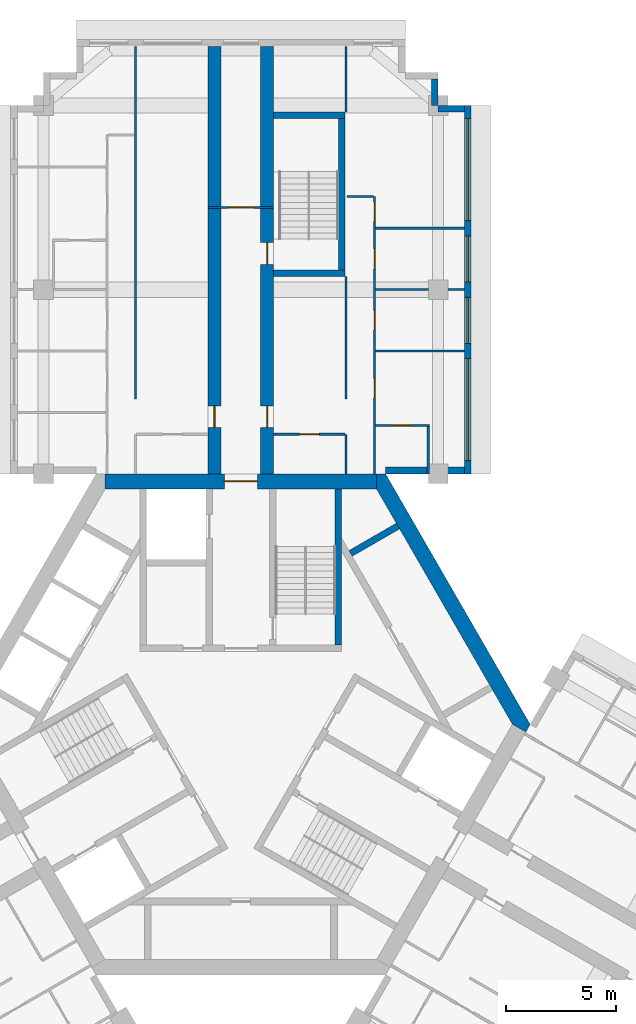
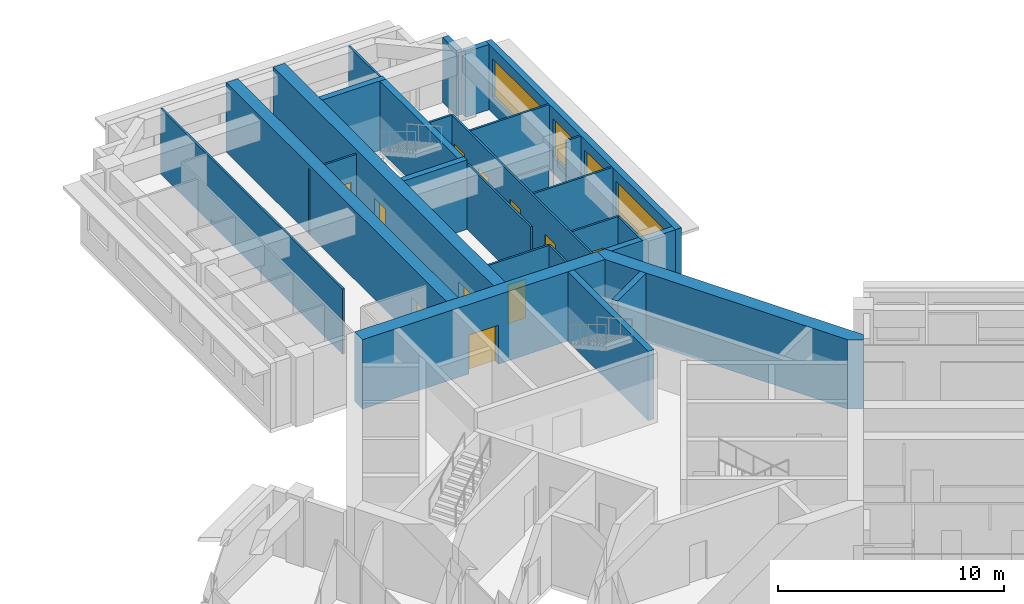
# One storey, part 8 of 11: 27 walls, 11 doors, 4 windows, 15 openings.
"""IFC4 building model written with IfcOpenShell, lengths in metres."""

from ifc_helpers import new_model, si_unit, direction, frame, frame_2d, origin, place, context, subcontext, project, spatial, polyline, rectangle, outline, extrude, material, layer, layer_set, type_object, element, fill, save


model = new_model("IFC4")

# Units and contexts
model_context = context("Model", 3, precision=1e-05, world=origin(), true_north=direction((0.0, 1.0)))
body_context = subcontext(model_context, "Body", "Model", "MODEL_VIEW")
ifc_project = project(units=[si_unit("LENGTHUNIT", "METRE"), si_unit("AREAUNIT", "SQUARE_METRE"), si_unit("VOLUMEUNIT", "CUBIC_METRE"), si_unit("PLANEANGLEUNIT", "RADIAN"), si_unit("MASSUNIT", "GRAM", prefix="KILO")], contexts=[model_context])

# Site, building, storey
site_placement = place(None, origin())
site = spatial("IfcSite", under=ifc_project, at=site_placement, CompositionType="ELEMENT")
building_placement = place(site_placement, origin())
building = spatial("IfcBuilding", under=site, at=building_placement, Name="Impinga Residences", CompositionType="ELEMENT")
storey_placement = place(building_placement, frame((0.0, 0.0, 203.5)))
storey = spatial("IfcBuildingStorey", under=building, at=storey_placement, Name="L50", CompositionType="ELEMENT", Elevation=203.5)

# Wall, opening, door
ifc_material_1 = material(Name="Concrete C60/75", Category="concrete")
ifc_layer_1 = layer(ifc_material_1, 0.60009765625)
ifc_layer_set_1 = layer_set([ifc_layer_1], Name="Concrete C60/75")
wall_type_1 = type_object("IfcWallType", Name="BW3 corridor buttress wall, L46 to L73 600", PredefinedType="SHEAR", material=ifc_layer_set_1)
wall_1_placement = place(storey_placement, frame((-1.199951171875, 11.08154296875, 0.0), z_axis=(0.0, 0.0, 1.0), x_axis=(0.0, 1.0, 0.0)))
wall_1 = element("IfcWall", 1, at=wall_1_placement, inside=storey, type_object=wall_type_1, Name="Corridor wall BW3 NC L50", PredefinedType="SHEAR", context=body_context, shape_type="SweptSolid", body=[
    extrude(rectangle(XDim=19.85009765625, YDim=0.60009765625, at=frame_2d((9.925048828125, 0.0))), origin(), (0.0, 0.0, 1.0), 3.75),
])
opening_1_placement = place(wall_1_placement, frame((2.449951171875, 0.0, 0.0)))
opening_1 = element("IfcOpeningElement", 2, at=opening_1_placement, cuts=wall_1, Name="Opening D1", PredefinedType="OPENING", context=body_context, shape_type="SweptSolid", body=[
    extrude(rectangle(XDim=1.0, YDim=2.10009765625, at=frame_2d((0.5, 1.050048828125))), frame((0.0, 0.31005859375, 0.0), z_axis=(0.0, -1.0, 0.0), x_axis=(1.0, 0.0, 0.0)), (0.0, 0.0, 1.0), 0.6201171875),
])
ifc_material_2 = material(Name="Timber door set", Category="wood")
door_type_1 = type_object("IfcDoorType", Name="D1 apartment entrance door 1000x2100", OperationType="SINGLE_SWING_LEFT", PredefinedType="DOOR", material=ifc_material_2)
door_1_placement = place(opening_1_placement, origin())
door_1 = element("IfcDoor", 3, at=door_1_placement, inside=storey, type_object=door_type_1, Name="Apartment L50-NA1 entrance", OperationType="SINGLE_SWING_LEFT", OverallHeight=2.10009765625, OverallWidth=1.0, PredefinedType="DOOR", context=body_context, shape_type="SweptSolid", body=[
    extrude(rectangle(XDim=1.0, YDim=2.10009765625, at=frame_2d((0.5, 1.050048828125))), frame((0.0, 0.02490234375, 0.0), z_axis=(0.0, -1.0, 0.0), x_axis=(1.0, 0.0, 0.0)), (0.0, 0.0, 1.0), 0.050048828125),
])
fill(opening_1, door_1)

# Wall, openings, doors
wall_2_placement = place(storey_placement, frame((1.199951171875, 11.08154296875, 0.0), z_axis=(0.0, 0.0, 1.0), x_axis=(0.0, 1.0, 0.0)))
wall_2 = element("IfcWall", 4, at=wall_2_placement, inside=storey, type_object=wall_type_1, Name="Corridor wall BW3 ND L50", PredefinedType="SHEAR", context=body_context, shape_type="SweptSolid", body=[
    extrude(rectangle(XDim=19.85009765625, YDim=0.60009765625, at=frame_2d((9.925048828125, 0.0))), origin(), (0.0, 0.0, 1.0), 3.75),
])
opening_2_placement = place(wall_2_placement, frame((9.89990234375, 0.0, 0.0)))
opening_2 = element("IfcOpeningElement", 5, at=opening_2_placement, cuts=wall_2, Name="Opening D5", PredefinedType="OPENING", context=body_context, shape_type="SweptSolid", body=[
    extrude(rectangle(XDim=1.0, YDim=2.10009765625, at=frame_2d((0.5, 1.050048828125))), frame((0.0, 0.31005859375, 0.0), z_axis=(0.0, -1.0, 0.0), x_axis=(1.0, 0.0, 0.0)), (0.0, 0.0, 1.0), 0.6201171875),
])
opening_3_placement = place(wall_2_placement, frame((2.449951171875, 0.0, 0.0)))
opening_3 = element("IfcOpeningElement", 6, at=opening_3_placement, cuts=wall_2, Name="Opening D1", PredefinedType="OPENING", context=body_context, shape_type="SweptSolid", body=[
    extrude(rectangle(XDim=1.0, YDim=2.10009765625, at=frame_2d((0.5, 1.050048828125))), frame((0.0, 0.31005859375, 0.0), z_axis=(0.0, -1.0, 0.0), x_axis=(1.0, 0.0, 0.0)), (0.0, 0.0, 1.0), 0.6201171875),
])
door_2_placement = place(opening_3_placement, origin())
door_2 = element("IfcDoor", 7, at=door_2_placement, inside=storey, type_object=door_type_1, Name="Apartment L50-NF1 entrance", OperationType="SINGLE_SWING_LEFT", OverallHeight=2.10009765625, OverallWidth=1.0, PredefinedType="DOOR", context=body_context, shape_type="SweptSolid", body=[
    extrude(rectangle(XDim=1.0, YDim=2.10009765625, at=frame_2d((0.5, 1.050048828125))), frame((0.0, 0.02490234375, 0.0), z_axis=(0.0, -1.0, 0.0), x_axis=(1.0, 0.0, 0.0)), (0.0, 0.0, 1.0), 0.050048828125),
])
fill(opening_3, door_2)
door_type_2 = type_object("IfcDoorType", Name="D5 stair door 1000x2100", OperationType="SINGLE_SWING_LEFT", PredefinedType="DOOR", material=ifc_material_2)
door_3_placement = place(opening_2_placement, origin())
door_3 = element("IfcDoor", 8, at=door_3_placement, inside=storey, type_object=door_type_2, Name="Wing stair door N", OperationType="SINGLE_SWING_RIGHT", OverallHeight=2.10009765625, OverallWidth=1.0, PredefinedType="DOOR", context=body_context, shape_type="SweptSolid", body=[
    extrude(rectangle(XDim=1.0, YDim=2.10009765625, at=frame_2d((0.5, 1.050048828125))), frame((0.0, 0.02490234375, 0.0), z_axis=(0.0, -1.0, 0.0), x_axis=(1.0, 0.0, 0.0)), (0.0, 0.0, 1.0), 0.050048828125),
])
fill(opening_2, door_3)

# Wall, opening, door
ifc_material_3 = material(Name="Concrete blockwork", Category="masonry")
ifc_layer_2 = layer(ifc_material_3, 0.10009765625)
ifc_layer_set_2 = layer_set([ifc_layer_2], Name="CP1 core room partition, blockwork 100")
wall_type_2 = type_object("IfcWallType", Name="CP1 core room partition, blockwork 100", PredefinedType="PARTITIONING", material=ifc_layer_set_2)
wall_3_placement = place(storey_placement, frame((-1.5, 23.58154296875, 0.0), z_axis=(0.0, 0.0, 1.0), x_axis=(1.0, 0.0, 0.0)))
wall_3 = element("IfcWall", 9, at=wall_3_placement, inside=storey, type_object=wall_type_2, Name="Core room partition, blockwork L50:N:LNG", PredefinedType="PARTITIONING", context=body_context, shape_type="SweptSolid", body=[
    extrude(rectangle(XDim=3.0, YDim=0.10009765625, at=frame_2d((1.5, 0.0))), origin(), (0.0, 0.0, 1.0), 3.530029296875),
])
opening_4_placement = place(wall_3_placement, frame((0.89990234375, 0.0, 0.0)))
opening_4 = element("IfcOpeningElement", 10, at=opening_4_placement, cuts=wall_3, Name="Opening D3", PredefinedType="OPENING", context=body_context, shape_type="SweptSolid", body=[
    extrude(rectangle(XDim=1.199951171875, YDim=2.10009765625, at=frame_2d((0.60009765625, 1.050048828125))), frame((0.0, 0.06005859375, 0.0), z_axis=(0.0, -1.0, 0.0), x_axis=(1.0, 0.0, 0.0)), (0.0, 0.0, 1.0), 0.1201171875),
])
door_type_3 = type_object("IfcDoorType", Name="D3 room door, leaf and a half 1200x2100", OperationType="DOUBLE_SWING_LEFT", PredefinedType="DOOR", material=ifc_material_2)
door_4_placement = place(opening_4_placement, origin())
door_4 = element("IfcDoor", 11, at=door_4_placement, inside=storey, type_object=door_type_3, Name="Residents' lounge door N", OperationType="DOUBLE_SWING_LEFT", OverallHeight=2.10009765625, OverallWidth=1.199951171875, PredefinedType="DOOR", context=body_context, shape_type="SweptSolid", body=[
    extrude(rectangle(XDim=1.199951171875, YDim=2.10009765625, at=frame_2d((0.60009765625, 1.050048828125))), frame((0.0, 0.02490234375, 0.0), z_axis=(0.0, -1.0, 0.0), x_axis=(1.0, 0.0, 0.0)), (0.0, 0.0, 1.0), 0.050048828125),
])
fill(opening_4, door_4)

# Walls
ifc_material_4 = material(Name="Terracotta rainscreen on blockwork", Category="masonry")
ifc_layer_3 = layer(ifc_material_4, 0.300048828125)
ifc_layer_set_3 = layer_set([ifc_layer_3], Name="EW1 external wall, terracotta rainscreen on blockwork 300")
wall_type_3 = type_object("IfcWallType", Name="EW1 external wall, terracotta rainscreen on blockwork 300", PredefinedType="SOLIDWALL", material=ifc_layer_set_3)
wall_4_placement = place(storey_placement, frame((8.85009765625, 29.431640625, 0.0), z_axis=(0.0, 0.0, 1.0), x_axis=(0.0, -1.0, 0.0)))
element("IfcWall", 12, at=wall_4_placement, inside=storey, type_object=wall_type_3, Name="External wall EW1 L50", PredefinedType="SOLIDWALL", context=body_context, shape_type="SweptSolid", body=[
    extrude(rectangle(XDim=1.2001953125, YDim=0.300048828125, at=frame_2d((0.60009765625, 0.0))), origin(), (0.0, 0.0, 1.0), 3.530029296875),
])
wall_5_placement = place(storey_placement, frame((9.0048828125, 28.08154296875, 0.0), z_axis=(0.0, 0.0, 1.0), x_axis=(1.0, 0.0, 0.0)))
element("IfcWall", 13, at=wall_5_placement, inside=storey, type_object=wall_type_3, Name="External wall EW1 L50", PredefinedType="SOLIDWALL", context=body_context, shape_type="SweptSolid", body=[
    extrude(rectangle(XDim=1.195068359375, YDim=0.300048828125, at=frame_2d((0.59765625, 0.0))), origin(), (0.0, 0.0, 1.0), 3.530029296875),
])

# Wall, openings, windows
wall_6_placement = place(storey_placement, frame((10.35009765625, 28.2314453125, 0.0), z_axis=(0.0, 0.0, 1.0), x_axis=(0.0, -1.0, 0.0)))
wall_6 = element("IfcWall", 14, at=wall_6_placement, inside=storey, type_object=wall_type_3, Name="External wall EW1 L50", PredefinedType="SOLIDWALL", context=body_context, shape_type="SweptSolid", body=[
    extrude(rectangle(XDim=16.7998046875, YDim=0.300048828125, at=frame_2d((8.39990234375, 0.0))), origin(), (0.0, 0.0, 1.0), 3.530029296875),
])
opening_5_placement = place(wall_6_placement, frame((0.60009765625, 0.0, 0.89990234375)))
opening_5 = element("IfcOpeningElement", 15, at=opening_5_placement, cuts=wall_6, Name="Opening W10", PredefinedType="OPENING", context=body_context, shape_type="SweptSolid", body=[
    extrude(rectangle(XDim=4.64990234375, YDim=2.050048828125, at=frame_2d((2.324951171875, 1.02490234375))), frame((0.0, 0.159912109375, 0.0), z_axis=(0.0, -1.0, 0.0), x_axis=(1.0, 0.0, 0.0)), (0.0, 0.0, 1.0), 0.320068359375),
])
opening_6_placement = place(wall_6_placement, frame((5.949951171875, 0.0, 0.89990234375)))
opening_6 = element("IfcOpeningElement", 16, at=opening_6_placement, cuts=wall_6, Name="Opening W9", PredefinedType="OPENING", context=body_context, shape_type="SweptSolid", body=[
    extrude(rectangle(XDim=2.10009765625, YDim=2.050048828125, at=frame_2d((1.050048828125, 1.02490234375))), frame((0.0, 0.159912109375, 0.0), z_axis=(0.0, -1.0, 0.0), x_axis=(1.0, 0.0, 0.0)), (0.0, 0.0, 1.0), 0.320068359375),
])
opening_7_placement = place(wall_6_placement, frame((8.75, 0.0, 0.89990234375)))
opening_7 = element("IfcOpeningElement", 17, at=opening_7_placement, cuts=wall_6, Name="Opening W9", PredefinedType="OPENING", context=body_context, shape_type="SweptSolid", body=[
    extrude(rectangle(XDim=2.10009765625, YDim=2.050048828125, at=frame_2d((1.050048828125, 1.02490234375))), frame((0.0, 0.159912109375, 0.0), z_axis=(0.0, -1.0, 0.0), x_axis=(1.0, 0.0, 0.0)), (0.0, 0.0, 1.0), 0.320068359375),
])
opening_8_placement = place(wall_6_placement, frame((11.550048828125, 0.0, 0.89990234375)))
opening_8 = element("IfcOpeningElement", 18, at=opening_8_placement, cuts=wall_6, Name="Opening W10", PredefinedType="OPENING", context=body_context, shape_type="SweptSolid", body=[
    extrude(rectangle(XDim=4.64990234375, YDim=2.050048828125, at=frame_2d((2.324951171875, 1.02490234375))), frame((0.0, 0.159912109375, 0.0), z_axis=(0.0, -1.0, 0.0), x_axis=(1.0, 0.0, 0.0)), (0.0, 0.0, 1.0), 0.320068359375),
])
ifc_material_5 = material(Name="Aluminium window, clear double glazing", Category="aluminium")
window_type_1 = type_object("IfcWindowType", Name="W10 ribbon window 4650x2050", PartitioningType="SINGLE_PANEL", PredefinedType="WINDOW", material=ifc_material_5)
window_1_placement = place(opening_5_placement, origin())
window_1 = element("IfcWindow", 19, at=window_1_placement, inside=storey, type_object=window_type_1, Name="Window L50", OverallHeight=2.050048828125, OverallWidth=4.64990234375, PartitioningType="SINGLE_PANEL", PredefinedType="WINDOW", context=body_context, shape_type="SweptSolid", body=[
    extrude(rectangle(XDim=4.64990234375, YDim=2.050048828125, at=frame_2d((2.324951171875, 1.02490234375))), frame((0.0, 0.030029296875, 0.0), z_axis=(0.0, -1.0, 0.0), x_axis=(1.0, 0.0, 0.0)), (0.0, 0.0, 1.0), 0.06005859375),
])
fill(opening_5, window_1)
window_2_placement = place(opening_8_placement, origin())
window_2 = element("IfcWindow", 20, at=window_2_placement, inside=storey, type_object=window_type_1, Name="Window L50", OverallHeight=2.050048828125, OverallWidth=4.64990234375, PartitioningType="SINGLE_PANEL", PredefinedType="WINDOW", context=body_context, shape_type="SweptSolid", body=[
    extrude(rectangle(XDim=4.64990234375, YDim=2.050048828125, at=frame_2d((2.324951171875, 1.02490234375))), frame((0.0, 0.030029296875, 0.0), z_axis=(0.0, -1.0, 0.0), x_axis=(1.0, 0.0, 0.0)), (0.0, 0.0, 1.0), 0.06005859375),
])
fill(opening_8, window_2)
window_type_2 = type_object("IfcWindowType", Name="W9 ribbon window 2100x2050", PartitioningType="SINGLE_PANEL", PredefinedType="WINDOW", material=ifc_material_5)
window_3_placement = place(opening_6_placement, origin())
window_3 = element("IfcWindow", 21, at=window_3_placement, inside=storey, type_object=window_type_2, Name="Window L50", OverallHeight=2.050048828125, OverallWidth=2.10009765625, PartitioningType="SINGLE_PANEL", PredefinedType="WINDOW", context=body_context, shape_type="SweptSolid", body=[
    extrude(rectangle(XDim=2.10009765625, YDim=2.050048828125, at=frame_2d((1.050048828125, 1.02490234375))), frame((0.0, 0.030029296875, 0.0), z_axis=(0.0, -1.0, 0.0), x_axis=(1.0, 0.0, 0.0)), (0.0, 0.0, 1.0), 0.06005859375),
])
fill(opening_6, window_3)
window_4_placement = place(opening_7_placement, origin())
window_4 = element("IfcWindow", 22, at=window_4_placement, inside=storey, type_object=window_type_2, Name="Window L50", OverallHeight=2.050048828125, OverallWidth=2.10009765625, PartitioningType="SINGLE_PANEL", PredefinedType="WINDOW", context=body_context, shape_type="SweptSolid", body=[
    extrude(rectangle(XDim=2.10009765625, YDim=2.050048828125, at=frame_2d((1.050048828125, 1.02490234375))), frame((0.0, 0.030029296875, 0.0), z_axis=(0.0, -1.0, 0.0), x_axis=(1.0, 0.0, 0.0)), (0.0, 0.0, 1.0), 0.06005859375),
])
fill(opening_7, window_4)

# Walls
wall_7_placement = place(storey_placement, frame((10.199951171875, 11.58154296875, 0.0), z_axis=(0.0, 0.0, 1.0), x_axis=(-1.0, 0.0, 0.0)))
element("IfcWall", 23, at=wall_7_placement, inside=storey, type_object=wall_type_3, Name="External wall EW1 L50", PredefinedType="SOLIDWALL", context=body_context, shape_type="SweptSolid", body=[
    extrude(rectangle(XDim=3.599853515625, YDim=0.300048828125, at=frame_2d((1.7998046875, 0.0))), origin(), (0.0, 0.0, 1.0), 3.530029296875),
])
ifc_material_6 = material(Name="Gypsum board on steel studs", Category="steel")
ifc_layer_4 = layer(ifc_material_6, 0.10009765625)
ifc_layer_set_4 = layer_set([ifc_layer_4], Name="Gypsum board on steel studs")
wall_type_4 = type_object("IfcWallType", Name="IP1 partition 100", PredefinedType="PARTITIONING", material=ifc_layer_set_4)
wall_8_placement = place(storey_placement, frame((-4.800048828125, 14.83154296875, 0.0), z_axis=(0.0, 0.0, 1.0), x_axis=(0.0, 1.0, 0.0)))
element("IfcWall", 24, at=wall_8_placement, inside=storey, type_object=wall_type_4, Name="Partition L50-NA1:DIV1", PredefinedType="PARTITIONING", context=body_context, shape_type="SweptSolid", body=[
    extrude(rectangle(XDim=16.10009765625, YDim=0.10009765625, at=frame_2d((8.050048828125, 0.0))), origin(), (0.0, 0.0, 1.0), 3.530029296875),
])
wall_9_placement = place(storey_placement, frame((4.800048828125, 11.431640625, 0.0), z_axis=(0.0, 0.0, 1.0), x_axis=(0.0, 1.0, 0.0)))
element("IfcWall", 25, at=wall_9_placement, inside=storey, type_object=wall_type_4, Name="Partition L50-NF1:DIV0", PredefinedType="PARTITIONING", context=body_context, shape_type="SweptSolid", body=[
    extrude(rectangle(XDim=1.7998046875, YDim=0.10009765625, at=frame_2d((0.89990234375, 0.0))), origin(), (0.0, 0.0, 1.0), 3.530029296875),
])
wall_10_placement = place(storey_placement, frame((4.800048828125, 14.83154296875, 0.0), z_axis=(0.0, 0.0, 1.0), x_axis=(0.0, 1.0, 0.0)))
element("IfcWall", 26, at=wall_10_placement, inside=storey, type_object=wall_type_4, Name="Partition L50-NF1:DIV1", PredefinedType="PARTITIONING", context=body_context, shape_type="SweptSolid", body=[
    extrude(rectangle(XDim=5.60009765625, YDim=0.10009765625, at=frame_2d((2.800048828125, 0.0))), origin(), (0.0, 0.0, 1.0), 3.530029296875),
])
wall_11_placement = place(storey_placement, frame((4.800048828125, 27.931640625, 0.0), z_axis=(0.0, 0.0, 1.0), x_axis=(0.0, 1.0, 0.0)))
element("IfcWall", 27, at=wall_11_placement, inside=storey, type_object=wall_type_4, Name="Partition L50-NF1:DIV2", PredefinedType="PARTITIONING", context=body_context, shape_type="SweptSolid", body=[
    extrude(rectangle(XDim=3.0, YDim=0.10009765625, at=frame_2d((1.5, 0.0))), origin(), (0.0, 0.0, 1.0), 3.530029296875),
])

# Wall, openings, doors
wall_12_placement = place(storey_placement, frame((6.10009765625, 11.431640625, 0.0), z_axis=(0.0, 0.0, 1.0), x_axis=(0.0, 1.0, 0.0)))
wall_12 = element("IfcWall", 28, at=wall_12_placement, inside=storey, type_object=wall_type_4, Name="Partition L50-NF1:STRIP", PredefinedType="PARTITIONING", context=body_context, shape_type="SweptSolid", body=[
    extrude(rectangle(XDim=12.64990234375, YDim=0.10009765625, at=frame_2d((6.324951171875, 0.0))), origin(), (0.0, 0.0, 1.0), 3.530029296875),
])
opening_9_placement = place(wall_12_placement, frame((3.449951171875, 0.0, 0.0)))
opening_9 = element("IfcOpeningElement", 29, at=opening_9_placement, cuts=wall_12, Name="Opening D2", PredefinedType="OPENING", context=body_context, shape_type="SweptSolid", body=[
    extrude(rectangle(XDim=0.89990234375, YDim=2.10009765625, at=frame_2d((0.449951171875, 1.050048828125))), frame((0.0, 0.06005859375, 0.0), z_axis=(0.0, -1.0, 0.0), x_axis=(1.0, 0.0, 0.0)), (0.0, 0.0, 1.0), 0.1201171875),
])
opening_10_placement = place(wall_12_placement, frame((6.550048828125, 0.0, 0.0)))
opening_10 = element("IfcOpeningElement", 30, at=opening_10_placement, cuts=wall_12, Name="Opening D2", PredefinedType="OPENING", context=body_context, shape_type="SweptSolid", body=[
    extrude(rectangle(XDim=0.89990234375, YDim=2.10009765625, at=frame_2d((0.449951171875, 1.050048828125))), frame((0.0, 0.06005859375, 0.0), z_axis=(0.0, -1.0, 0.0), x_axis=(1.0, 0.0, 0.0)), (0.0, 0.0, 1.0), 0.1201171875),
])
opening_11_placement = place(wall_12_placement, frame((9.35009765625, 0.0, 0.0)))
opening_11 = element("IfcOpeningElement", 31, at=opening_11_placement, cuts=wall_12, Name="Opening D2", PredefinedType="OPENING", context=body_context, shape_type="SweptSolid", body=[
    extrude(rectangle(XDim=0.89990234375, YDim=2.10009765625, at=frame_2d((0.449951171875, 1.050048828125))), frame((0.0, 0.06005859375, 0.0), z_axis=(0.0, -1.0, 0.0), x_axis=(1.0, 0.0, 0.0)), (0.0, 0.0, 1.0), 0.1201171875),
])
opening_12_placement = place(wall_12_placement, frame((11.5, 0.0, 0.0)))
opening_12 = element("IfcOpeningElement", 32, at=opening_12_placement, cuts=wall_12, Name="Opening D2", PredefinedType="OPENING", context=body_context, shape_type="SweptSolid", body=[
    extrude(rectangle(XDim=0.89990234375, YDim=2.10009765625, at=frame_2d((0.449951171875, 1.050048828125))), frame((0.0, 0.06005859375, 0.0), z_axis=(0.0, -1.0, 0.0), x_axis=(1.0, 0.0, 0.0)), (0.0, 0.0, 1.0), 0.1201171875),
])
door_type_4 = type_object("IfcDoorType", Name="D2 internal door 900x2100", OperationType="SINGLE_SWING_LEFT", PredefinedType="DOOR", material=ifc_material_2)
door_5_placement = place(opening_9_placement, origin())
door_5 = element("IfcDoor", 33, at=door_5_placement, inside=storey, type_object=door_type_4, Name="Apartment L50-NF1 room door", OperationType="SINGLE_SWING_LEFT", OverallHeight=2.10009765625, OverallWidth=0.89990234375, PredefinedType="DOOR", context=body_context, shape_type="SweptSolid", body=[
    extrude(rectangle(XDim=0.89990234375, YDim=2.10009765625, at=frame_2d((0.449951171875, 1.050048828125))), frame((0.0, 0.02490234375, 0.0), z_axis=(0.0, -1.0, 0.0), x_axis=(1.0, 0.0, 0.0)), (0.0, 0.0, 1.0), 0.050048828125),
])
fill(opening_9, door_5)
door_6_placement = place(opening_10_placement, origin())
door_6 = element("IfcDoor", 34, at=door_6_placement, inside=storey, type_object=door_type_4, Name="Apartment L50-NF1 room door", OperationType="SINGLE_SWING_RIGHT", OverallHeight=2.10009765625, OverallWidth=0.89990234375, PredefinedType="DOOR", context=body_context, shape_type="SweptSolid", body=[
    extrude(rectangle(XDim=0.89990234375, YDim=2.10009765625, at=frame_2d((0.449951171875, 1.050048828125))), frame((0.0, 0.02490234375, 0.0), z_axis=(0.0, -1.0, 0.0), x_axis=(1.0, 0.0, 0.0)), (0.0, 0.0, 1.0), 0.050048828125),
])
fill(opening_10, door_6)
door_7_placement = place(opening_11_placement, origin())
door_7 = element("IfcDoor", 35, at=door_7_placement, inside=storey, type_object=door_type_4, Name="Apartment L50-NF1 room door", OperationType="SINGLE_SWING_RIGHT", OverallHeight=2.10009765625, OverallWidth=0.89990234375, PredefinedType="DOOR", context=body_context, shape_type="SweptSolid", body=[
    extrude(rectangle(XDim=0.89990234375, YDim=2.10009765625, at=frame_2d((0.449951171875, 1.050048828125))), frame((0.0, 0.02490234375, 0.0), z_axis=(0.0, -1.0, 0.0), x_axis=(1.0, 0.0, 0.0)), (0.0, 0.0, 1.0), 0.050048828125),
])
fill(opening_11, door_7)
door_8_placement = place(opening_12_placement, origin())
door_8 = element("IfcDoor", 36, at=door_8_placement, inside=storey, type_object=door_type_4, Name="Apartment L50-NF1 room door", OperationType="SINGLE_SWING_RIGHT", OverallHeight=2.10009765625, OverallWidth=0.89990234375, PredefinedType="DOOR", context=body_context, shape_type="SweptSolid", body=[
    extrude(rectangle(XDim=0.89990234375, YDim=2.10009765625, at=frame_2d((0.449951171875, 1.050048828125))), frame((0.0, 0.02490234375, 0.0), z_axis=(0.0, -1.0, 0.0), x_axis=(1.0, 0.0, 0.0)), (0.0, 0.0, 1.0), 0.050048828125),
])
fill(opening_12, door_8)

# Wall
wall_13_placement = place(storey_placement, frame((4.85009765625, 24.08154296875, 0.0), z_axis=(0.0, 0.0, 1.0), x_axis=(1.0, 0.0, 0.0)))
element("IfcWall", 37, at=wall_13_placement, inside=storey, type_object=wall_type_4, Name="Partition L50-NF1:SE1", PredefinedType="PARTITIONING", context=body_context, shape_type="SweptSolid", body=[
    extrude(rectangle(XDim=1.199951171875, YDim=0.10009765625, at=frame_2d((0.60009765625, 0.0))), origin(), (0.0, 0.0, 1.0), 3.530029296875),
])

# Wall, opening, door
wall_14_placement = place(storey_placement, frame((1.5, 13.2314453125, 0.0), z_axis=(0.0, 0.0, 1.0), x_axis=(1.0, 0.0, 0.0)))
wall_14 = element("IfcWall", 38, at=wall_14_placement, inside=storey, type_object=wall_type_4, Name="Partition L50-NF1:IB1", PredefinedType="PARTITIONING", context=body_context, shape_type="SweptSolid", body=[
    extrude(rectangle(XDim=3.25, YDim=0.10009765625, at=frame_2d((1.625, 0.0))), origin(), (0.0, 0.0, 1.0), 3.530029296875),
])
opening_13_placement = place(wall_14_placement, frame((1.175048828125, 0.0, 0.0)))
opening_13 = element("IfcOpeningElement", 39, at=opening_13_placement, cuts=wall_14, Name="Opening D2", PredefinedType="OPENING", context=body_context, shape_type="SweptSolid", body=[
    extrude(rectangle(XDim=0.89990234375, YDim=2.10009765625, at=frame_2d((0.449951171875, 1.050048828125))), frame((0.0, 0.06005859375, 0.0), z_axis=(0.0, -1.0, 0.0), x_axis=(1.0, 0.0, 0.0)), (0.0, 0.0, 1.0), 0.1201171875),
])
door_9_placement = place(opening_13_placement, origin())
door_9 = element("IfcDoor", 40, at=door_9_placement, inside=storey, type_object=door_type_4, Name="Apartment L50-NF1 bathroom door", OperationType="SINGLE_SWING_LEFT", OverallHeight=2.10009765625, OverallWidth=0.89990234375, PredefinedType="DOOR", context=body_context, shape_type="SweptSolid", body=[
    extrude(rectangle(XDim=0.89990234375, YDim=2.10009765625, at=frame_2d((0.449951171875, 1.050048828125))), frame((0.0, 0.02490234375, 0.0), z_axis=(0.0, -1.0, 0.0), x_axis=(1.0, 0.0, 0.0)), (0.0, 0.0, 1.0), 0.050048828125),
])
fill(opening_13, door_9)

# Walls
wall_15_placement = place(storey_placement, frame((6.14990234375, 17.031494140625, 0.0), z_axis=(0.0, 0.0, 1.0), x_axis=(1.0, 0.0, 0.0)))
element("IfcWall", 41, at=wall_15_placement, inside=storey, type_object=wall_type_4, Name="Partition L50-NF1:OB1", PredefinedType="PARTITIONING", context=body_context, shape_type="SweptSolid", body=[
    extrude(rectangle(XDim=4.050048828125, YDim=0.10009765625, at=frame_2d((2.02490234375, 0.0))), origin(), (0.0, 0.0, 1.0), 3.530029296875),
])
wall_16_placement = place(storey_placement, frame((6.14990234375, 19.83154296875, 0.0), z_axis=(0.0, 0.0, 1.0), x_axis=(1.0, 0.0, 0.0)))
element("IfcWall", 42, at=wall_16_placement, inside=storey, type_object=wall_type_4, Name="Partition L50-NF1:OB2", PredefinedType="PARTITIONING", context=body_context, shape_type="SweptSolid", body=[
    extrude(rectangle(XDim=2.400146484375, YDim=0.10009765625, at=frame_2d((1.2001953125, 0.0))), origin(), (0.0, 0.0, 1.0), 2.47998046875),
])
wall_17_placement = place(storey_placement, frame((9.449951171875, 19.83154296875, 0.0), z_axis=(0.0, 0.0, 1.0), x_axis=(1.0, 0.0, 0.0)))
element("IfcWall", 43, at=wall_17_placement, inside=storey, type_object=wall_type_4, Name="Partition L50-NF1:OB2b", PredefinedType="PARTITIONING", context=body_context, shape_type="SweptSolid", body=[
    extrude(rectangle(XDim=0.75, YDim=0.10009765625, at=frame_2d((0.375, 0.0))), origin(), (0.0, 0.0, 1.0), 3.530029296875),
])
wall_18_placement = place(storey_placement, frame((6.14990234375, 22.631591796875, 0.0), z_axis=(0.0, 0.0, 1.0), x_axis=(1.0, 0.0, 0.0)))
element("IfcWall", 44, at=wall_18_placement, inside=storey, type_object=wall_type_4, Name="Partition L50-NF1:OB3", PredefinedType="PARTITIONING", context=body_context, shape_type="SweptSolid", body=[
    extrude(rectangle(XDim=4.050048828125, YDim=0.10009765625, at=frame_2d((2.02490234375, 0.0))), origin(), (0.0, 0.0, 1.0), 3.530029296875),
])

# Wall, opening, door
wall_19_placement = place(storey_placement, frame((6.14990234375, 13.631591796875, 0.0), z_axis=(0.0, 0.0, 1.0), x_axis=(1.0, 0.0, 0.0)))
wall_19 = element("IfcWall", 45, at=wall_19_placement, inside=storey, type_object=wall_type_4, Name="Partition L50-NF1:EN1", PredefinedType="PARTITIONING", context=body_context, shape_type="SweptSolid", body=[
    extrude(rectangle(XDim=2.4501953125, YDim=0.10009765625, at=frame_2d((1.22509765625, 0.0))), origin(), (0.0, 0.0, 1.0), 3.530029296875),
])
opening_14_placement = place(wall_19_placement, frame((0.75, 0.0, 0.0)))
opening_14 = element("IfcOpeningElement", 46, at=opening_14_placement, cuts=wall_19, Name="Opening D2", PredefinedType="OPENING", context=body_context, shape_type="SweptSolid", body=[
    extrude(rectangle(XDim=0.89990234375, YDim=2.10009765625, at=frame_2d((0.449951171875, 1.050048828125))), frame((0.0, 0.06005859375, 0.0), z_axis=(0.0, -1.0, 0.0), x_axis=(1.0, 0.0, 0.0)), (0.0, 0.0, 1.0), 0.1201171875),
])
door_10_placement = place(opening_14_placement, origin())
door_10 = element("IfcDoor", 47, at=door_10_placement, inside=storey, type_object=door_type_4, Name="Apartment L50-NF1 en-suite door", OperationType="SINGLE_SWING_LEFT", OverallHeight=2.10009765625, OverallWidth=0.89990234375, PredefinedType="DOOR", context=body_context, shape_type="SweptSolid", body=[
    extrude(rectangle(XDim=0.89990234375, YDim=2.10009765625, at=frame_2d((0.449951171875, 1.050048828125))), frame((0.0, 0.02490234375, 0.0), z_axis=(0.0, -1.0, 0.0), x_axis=(1.0, 0.0, 0.0)), (0.0, 0.0, 1.0), 0.050048828125),
])
fill(opening_14, door_10)

# Walls
wall_20_placement = place(storey_placement, frame((8.550048828125, 11.431640625, 0.0), z_axis=(0.0, 0.0, 1.0), x_axis=(0.0, 1.0, 0.0)))
element("IfcWall", 48, at=wall_20_placement, inside=storey, type_object=wall_type_4, Name="Partition L50-NF1:EN2", PredefinedType="PARTITIONING", context=body_context, shape_type="SweptSolid", body=[
    extrude(rectangle(XDim=2.14990234375, YDim=0.10009765625, at=frame_2d((1.074951171875, 0.0))), origin(), (0.0, 0.0, 1.0), 3.530029296875),
])
ifc_layer_5 = layer(ifc_material_1, 0.300048828125)
ifc_layer_set_5 = layer_set([ifc_layer_5], Name="Concrete C60/75")
wall_type_5 = type_object("IfcWallType", Name="SE1 wing stair enclosure wall 300", PredefinedType="SOLIDWALL", material=ifc_layer_set_5)
for number, where, z_axis, x_axis, name in (
    (49, (1.5, 20.58154296875, 0.0), (0.0, 0.0, 1.0), (1.0, 0.0, 0.0), "Stair enclosure wall SE1 N END0 L50"),
    (50, (1.5, 27.781494140625, 0.0), (0.0, 0.0, 1.0), (1.0, 0.0, 0.0), "Stair enclosure wall SE1 N END1 L50"),
):
    element("IfcWall", number, at=place(storey_placement, frame(where, z_axis=z_axis, x_axis=x_axis)), inside=storey, type_object=wall_type_5, Name=name, PredefinedType="SOLIDWALL", context=body_context, shape_type="SweptSolid", body=[
        extrude(rectangle(XDim=3.25, YDim=0.300048828125, at=frame_2d((1.625, 0.0))), origin(), (0.0, 0.0, 1.0), 3.75),
    ])
wall_21_placement = place(storey_placement, frame((4.60009765625, 20.7314453125, 0.0), z_axis=(0.0, 0.0, 1.0), x_axis=(0.0, 1.0, 0.0)))
element("IfcWall", 51, at=wall_21_placement, inside=storey, type_object=wall_type_5, Name="Stair enclosure wall SE1 N OUT L50", PredefinedType="SOLIDWALL", context=body_context, shape_type="SweptSolid", body=[
    extrude(rectangle(XDim=6.900146484375, YDim=0.300048828125, at=frame_2d((3.4501953125, 0.0))), origin(), (0.0, 0.0, 1.0), 3.75),
])

# Wall, opening, door
ifc_layer_6 = layer(ifc_material_1, 0.699951171875)
ifc_layer_set_6 = layer_set([ifc_layer_6], Name="Concrete C60/75")
wall_type_6 = type_object("IfcWallType", Name="SW3 core wall 700", PredefinedType="SHEAR", material=ifc_layer_set_6)
wall_22_placement = place(storey_placement, frame((-6.19580078125, 11.08154296875, 0.0), z_axis=(0.0, 0.0, 1.0), x_axis=(1.0, 0.0, 0.0)))
wall_22 = element("IfcWall", 52, at=wall_22_placement, inside=storey, type_object=wall_type_6, Name="Core wall SW3 N:FACE L50", PredefinedType="SHEAR", context=body_context, shape_type="SweptSolid", body=[
    extrude(rectangle(XDim=12.3916015625, YDim=0.699951171875, at=frame_2d((6.19580078125, 0.0))), origin(), (0.0, 0.0, 1.0), 3.75),
])
opening_15_placement = place(wall_22_placement, frame((5.44580078125, 0.0, 0.0)))
opening_15 = element("IfcOpeningElement", 53, at=opening_15_placement, cuts=wall_22, Name="Opening D4", PredefinedType="OPENING", context=body_context, shape_type="SweptSolid", body=[
    extrude(rectangle(XDim=1.5, YDim=2.10009765625, at=frame_2d((0.75, 1.050048828125))), frame((0.0, 0.35986328125, 0.0), z_axis=(0.0, -1.0, 0.0), x_axis=(1.0, 0.0, 0.0)), (0.0, 0.0, 1.0), 0.719970703125),
])
door_type_5 = type_object("IfcDoorType", Name="D4 lobby door pair 1500x2100", OperationType="DOUBLE_DOOR_DOUBLE_SWING", PredefinedType="DOOR", material=ifc_material_2)
door_11_placement = place(opening_15_placement, origin())
door_11 = element("IfcDoor", 54, at=door_11_placement, inside=storey, type_object=door_type_5, Name="Lobby door N", OperationType="DOUBLE_DOOR_DOUBLE_SWING", OverallHeight=2.10009765625, OverallWidth=1.5, PredefinedType="DOOR", context=body_context, shape_type="SweptSolid", body=[
    extrude(rectangle(XDim=1.5, YDim=2.10009765625, at=frame_2d((0.75, 1.050048828125))), frame((0.0, 0.02490234375, 0.0), z_axis=(0.0, -1.0, 0.0), x_axis=(1.0, 0.0, 0.0)), (0.0, 0.0, 1.0), 0.050048828125),
])
fill(opening_15, door_11)

# Walls
wall_23_placement = place(storey_placement, origin())
element("IfcWall", 55, at=wall_23_placement, inside=storey, type_object=wall_type_6, Name="Core wall SW3 W:EXPOSED L50", PredefinedType="SHEAR", context=body_context, shape_type="SweptSolid", body=[
    extrude(outline(polyline([(13.199951171875, 0.0), (6.60009765625, 11.431640625), (6.19580078125, 11.431640625), (6.19580078125, 10.7314453125), (12.3916015625, 0.0), (12.998046875, -0.35009765625), (13.199951171875, 0.0)])), origin(), (0.0, 0.0, 1.0), 3.75),
])
ifc_material_7 = material(Name="Concrete C70/85", Category="concrete")
ifc_layer_7 = layer(ifc_material_7, 0.300048828125)
ifc_layer_set_7 = layer_set([ifc_layer_7], Name="Concrete C70/85")
wall_type_7 = type_object("IfcWallType", Name="SW5 core inner wall, stairs, shafts and lobbies 300", PredefinedType="SHEAR", material=ifc_layer_set_7)
wall_24_placement = place(storey_placement, frame((4.449951171875, 3.6298828125, 0.0), z_axis=(0.0, 0.0, 1.0), x_axis=(0.0, 1.0, 0.0)))
element("IfcWall", 56, at=wall_24_placement, inside=storey, type_object=wall_type_7, Name="Core wall SW5 N:ST-OUT L50", PredefinedType="SHEAR", context=body_context, shape_type="SweptSolid", body=[
    extrude(rectangle(XDim=7.1015625, YDim=0.300048828125, at=frame_2d((3.55078125, 0.0))), origin(), (0.0, 0.0, 1.0), 3.75),
])
wall_25_placement = place(storey_placement, frame((5.003662109375, 7.79638671875, 0.0), z_axis=(0.0, 0.0, 1.0), x_axis=(0.866022959057, 0.500004234368, 0.0)))
element("IfcWall", 57, at=wall_25_placement, inside=storey, type_object=wall_type_7, Name="Core wall SW5 W:BANK-L L50", PredefinedType="SHEAR", context=body_context, shape_type="SweptSolid", body=[
    extrude(rectangle(XDim=2.5, YDim=0.300048828125, at=frame_2d((1.25, 0.0))), origin(), (0.0, 0.0, 1.0), 3.75),
])

save(model, "model.ifc")
